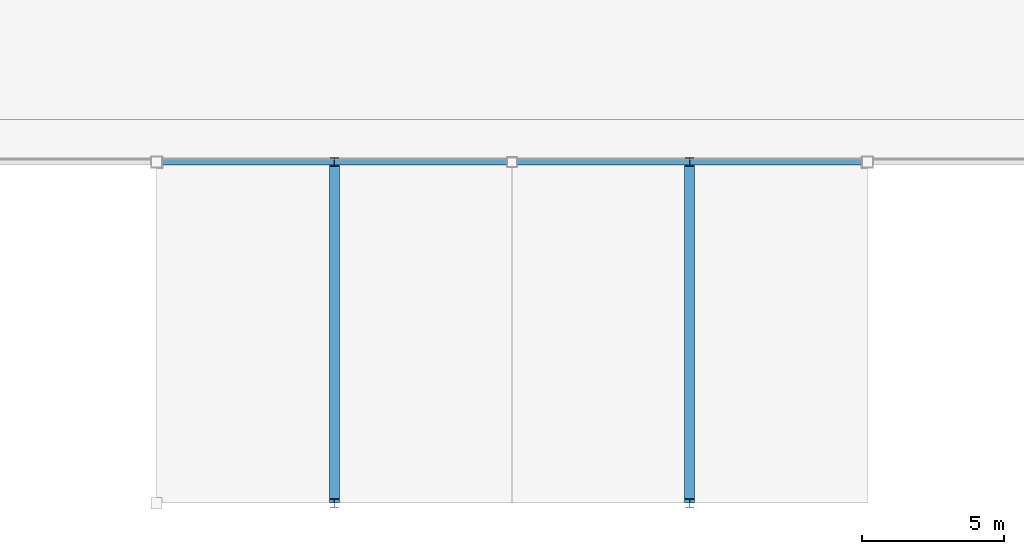
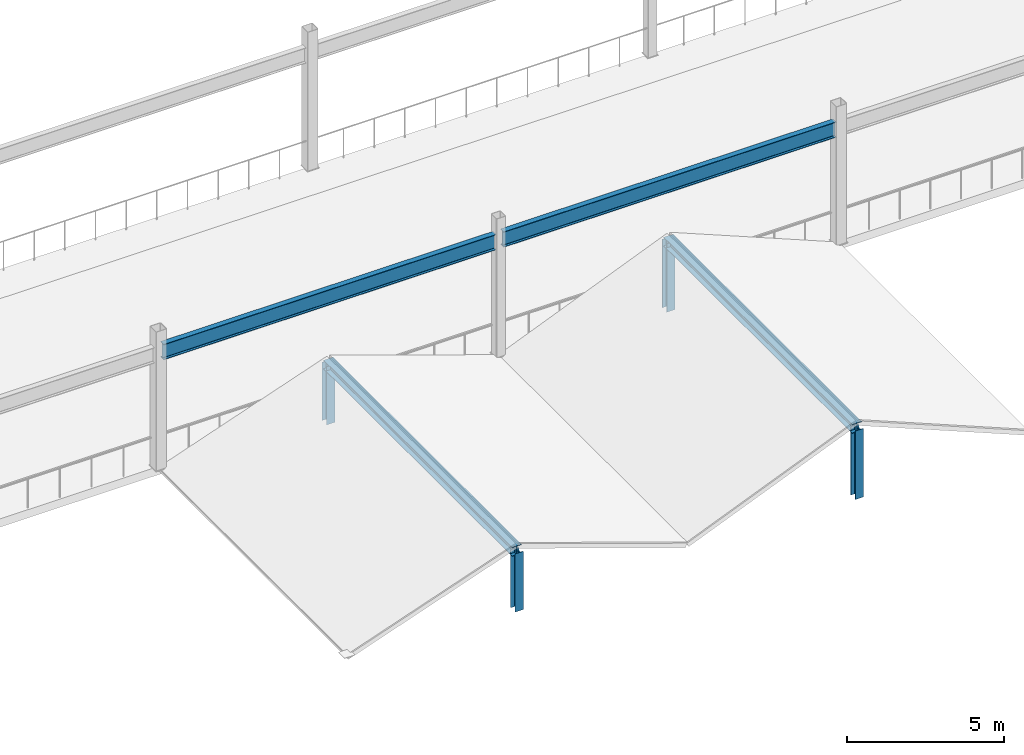
# One storey, part 42 of 105: 6 members, 2 beams.
"""IFC4 building model written with IfcOpenShell, lengths in metres."""

from ifc_helpers import new_model, si_unit, direction, frame, origin, origin_2d, place, context, subcontext, project, spatial, i_section, extrude, material, material_profile, profile_set, type_object, element, save


model = new_model("IFC4")

# Units and contexts
model_context = context("Model", 3, precision=1e-05, world=origin(), true_north=direction((0.0, 1.0)))
body_context = subcontext(model_context, "Body", "Model", "MODEL_VIEW")
ifc_project = project(units=[si_unit("LENGTHUNIT", "METRE"), si_unit("AREAUNIT", "SQUARE_METRE"), si_unit("VOLUMEUNIT", "CUBIC_METRE"), si_unit("PLANEANGLEUNIT", "RADIAN"), si_unit("MASSUNIT", "GRAM", prefix="KILO")], contexts=[model_context])

# Site, building, storey
site_placement = place(None, origin())
site = spatial("IfcSite", under=ifc_project, at=site_placement, CompositionType="ELEMENT")
building_placement = place(site_placement, origin())
building = spatial("IfcBuilding", under=site, at=building_placement, Name="Kazenohara Klinker Stadium", CompositionType="ELEMENT")
storey_placement = place(building_placement, frame((0.0, 0.0, 20.39990234375)))
storey = spatial("IfcBuildingStorey", under=building, at=storey_placement, Name="L04", CompositionType="ELEMENT", Elevation=20.39990234375)

# Beams
ifc_material = material(Name="Steel S355", Category="steel")
ifc_material_profile_1 = material_profile(ifc_material, i_section(OverallWidth=0.199951171875, OverallDepth=0.60009765625, WebThickness=0.010986328125, FlangeThickness=0.01708984375, FilletRadius=0.012939453125, at=origin_2d()), Name="H-600x200x11x17")
ifc_profile_set_1 = profile_set([ifc_material_profile_1], Name="Steel S355")
beam_type = type_object("IfcBeamType", Name="BM-ST04", PredefinedType="BEAM", material=ifc_profile_set_1)
for number, where, z_axis, x_axis, name in (
    (1, (125.139892578125, 24.0, 4.4501953125), (1.0, 0.0, 0.0), (0.0, 1.0, 0.0), "Canopy tie girder SB04 L04 11-12/C"),
    (2, (137.639892578125, 24.0, 4.4501953125), (1.0, 0.0, 0.0), (0.0, 1.0, 0.0), "Canopy tie girder SB04 L04 12-13/C"),
):
    element("IfcBeam", number, at=place(storey_placement, frame(where, z_axis=z_axis, x_axis=x_axis)), inside=storey, type_object=beam_type, Name=name, PredefinedType="BEAM", context=body_context, shape_type="SweptSolid", body=[
        extrude(i_section(OverallWidth=0.199951171875, OverallDepth=0.60009765625, WebThickness=0.010986328125, FlangeThickness=0.01708984375, FilletRadius=0.012939453125, at=origin_2d()), origin(), (0.0, 0.0, 1.0), 12.22021484375),
    ])

# Members
ifc_material_profile_2 = material_profile(ifc_material, i_section(OverallWidth=0.35009765625, OverallDepth=0.35009765625, WebThickness=0.011962890625, FlangeThickness=0.01904296875, FilletRadius=0.012939453125, at=origin_2d()), Name="H-350x350x12x19")
ifc_profile_set_2 = profile_set([ifc_material_profile_2], Name="Steel S355")
member_type_1 = type_object("IfcMemberType", Name="MEM-CHD02", PredefinedType="CHORD", material=ifc_profile_set_2)
for number, where, z_axis, x_axis, name in (
    (3, (131.25, 12.0, 1.830078125), (0.0, 1.0, 0.0), (-1.0, 0.0, 0.0), "Stepped pavilion gable ridge beam L04 11/B"),
    (4, (143.75, 12.0, 2.22998046875), (0.0, 1.0, 0.0), (-1.0, 0.0, 0.0), "Stepped pavilion gable ridge beam L04 12/B"),
):
    element("IfcMember", number, at=place(storey_placement, frame(where, z_axis=z_axis, x_axis=x_axis)), inside=storey, type_object=member_type_1, Name=name, PredefinedType="CHORD", context=body_context, shape_type="SweptSolid", body=[
        extrude(i_section(OverallWidth=0.35009765625, OverallDepth=0.35009765625, WebThickness=0.011962890625, FlangeThickness=0.01904296875, FilletRadius=0.012939453125, at=origin_2d()), origin(), (0.0, 0.0, 1.0), 12.0),
    ])
ifc_material_profile_3 = material_profile(ifc_material, i_section(OverallWidth=0.300048828125, OverallDepth=0.300048828125, WebThickness=0.010009765625, FlangeThickness=0.014892578125, FilletRadius=0.012939453125, at=origin_2d()), Name="H-300x300x10x15")
ifc_profile_set_3 = profile_set([ifc_material_profile_3], Name="Steel S355")
member_type_2 = type_object("IfcMemberType", Name="MEM-STR01", PredefinedType="STRUT", material=ifc_profile_set_3)
for number, where, z_axis, x_axis, name in (
    (5, (131.25, 12.0, -0.429931640625), (0.0, 0.0, 1.0), (1.0, 0.0, 0.0), "Stepped pavilion gable king-post L04 11/B S"),
    (6, (131.25, 24.0, -0.429931640625), (0.0, 0.0, 1.0), (1.0, 0.0, 0.0), "Stepped pavilion gable king-post L04 11/B N"),
):
    element("IfcMember", number, at=place(storey_placement, frame(where, z_axis=z_axis, x_axis=x_axis)), inside=storey, type_object=member_type_2, Name=name, PredefinedType="STRUT", context=body_context, shape_type="SweptSolid", body=[
        extrude(i_section(OverallWidth=0.300048828125, OverallDepth=0.300048828125, WebThickness=0.010009765625, FlangeThickness=0.014892578125, FilletRadius=0.012939453125, at=origin_2d()), origin(), (0.0, 0.0, 1.0), 2.260009765625),
    ])
for number, where, z_axis, x_axis, name in (
    (7, (143.75, 12.0, -0.429931640625), (0.0, 0.0, 1.0), (1.0, 0.0, 0.0), "Stepped pavilion gable king-post L04 12/B S"),
    (8, (143.75, 24.0, -0.429931640625), (0.0, 0.0, 1.0), (1.0, 0.0, 0.0), "Stepped pavilion gable king-post L04 12/B N"),
):
    element("IfcMember", number, at=place(storey_placement, frame(where, z_axis=z_axis, x_axis=x_axis)), inside=storey, type_object=member_type_2, Name=name, PredefinedType="STRUT", context=body_context, shape_type="SweptSolid", body=[
        extrude(i_section(OverallWidth=0.300048828125, OverallDepth=0.300048828125, WebThickness=0.010009765625, FlangeThickness=0.014892578125, FilletRadius=0.012939453125, at=origin_2d()), origin(), (0.0, 0.0, 1.0), 2.659912109375),
    ])

save(model, "model.ifc")
